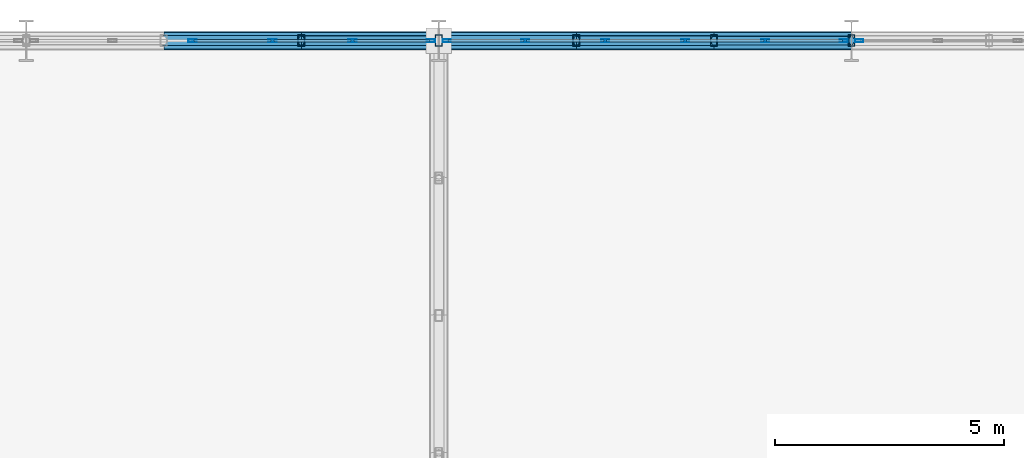
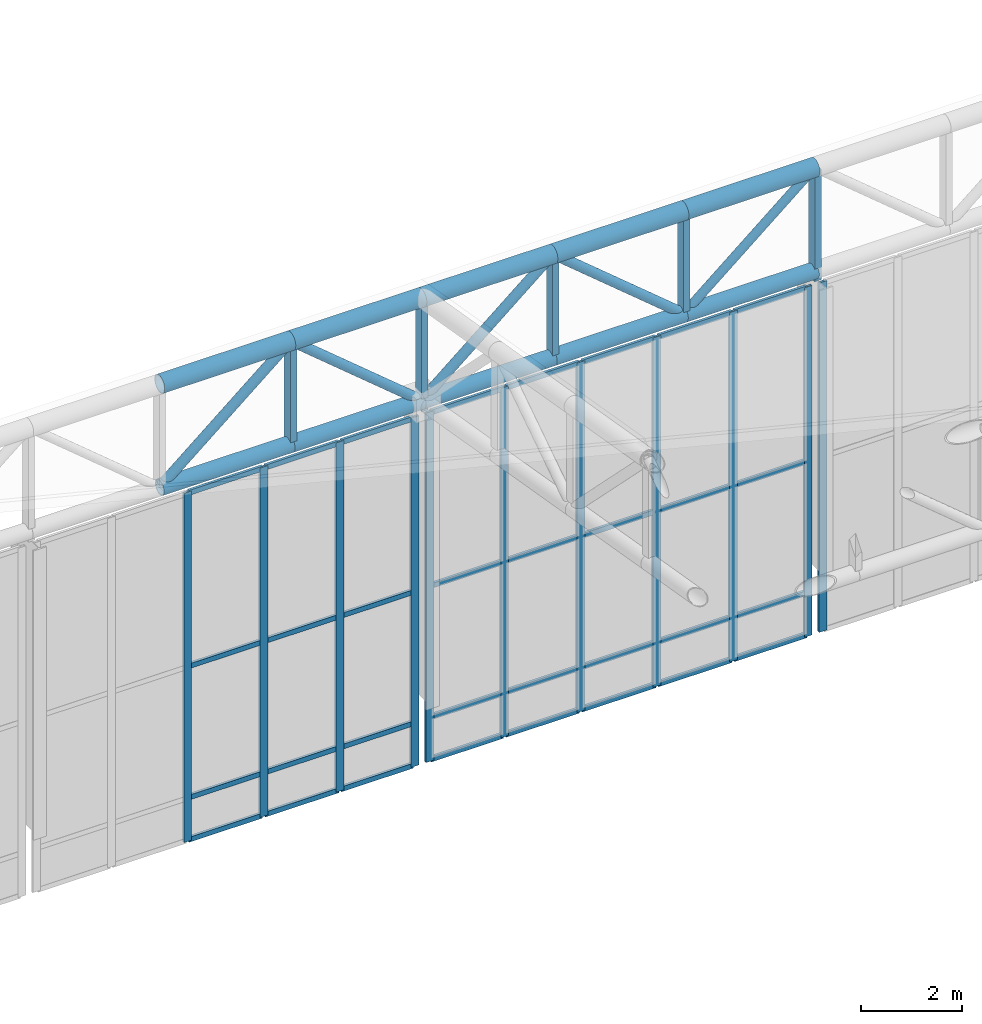
# One storey, part 111 of 239: 63 members, 3 elements without a shape of their own.
"""IFC4 building model written with IfcOpenShell, lengths in metres."""

import ifcopenshell
import ifcopenshell.guid

model = None  # the IFC model being written
_history = None  # IfcOwnerHistory: only IFC2X3 demands one
_inside = {}  # id of a spatial element -> (the spatial element, [elements in it])
_under = {}  # id of a project, library or spatial element -> (it, [spatial elements below it])
_declared = {}  # id of a project -> (the project, [libraries it declares])
_typed = {}  # id of a type object -> (the type object, [elements of that type])
_made_of = {}  # id of a material, layer set ... -> (it, [elements and type objects made of it])


def new_model(schema):
    """Start an empty IFC model of exactly this schema.

    Asked for "IFC4X3", IfcOpenShell would pick the latest addendum, in which some entities
    have other attributes; the version numbers below select the first issue.
    IFC2X3 requires an IfcOwnerHistory on every rooted entity: one is made here for all.
    """
    global model, _history
    if schema == "IFC4X3":
        model = ifcopenshell.file(schema_version=(4, 3, 0, 0))
    else:
        model = ifcopenshell.file(schema=schema)
    _inside.clear()
    _under.clear()
    _declared.clear()
    _typed.clear()
    _made_of.clear()
    _history = None
    if model.schema == "IFC2X3":
        org = make("IfcOrganization", Name="unknown")
        user = make(
            "IfcPersonAndOrganization",
            ThePerson=make("IfcPerson", FamilyName="unknown"),
            TheOrganization=org,
        )
        app = make(
            "IfcApplication",
            ApplicationDeveloper=org,
            Version="unknown",
            ApplicationFullName="unknown",
            ApplicationIdentifier="unknown",
        )
        _history = make(
            "IfcOwnerHistory",
            OwningUser=user,
            OwningApplication=app,
            ChangeAction="ADDED",
            CreationDate=0,
        )
    return model


def make(cls, **values):
    """One entity of the class cls with the attributes given. An attribute that is None is left unset."""
    return model.create_entity(
        cls, **{name: value for name, value in values.items() if value is not None}
    )


def rooted(cls, **values):
    """An entity with a GlobalId (a new one), such as an element, a storey or a relation."""
    return make(cls, GlobalId=ifcopenshell.guid.new(), OwnerHistory=_history, **values)


def si_unit(unit_type, name, prefix=None):
    """IfcSIUnit, for example si_unit("LENGTHUNIT", "METRE", prefix="MILLI")."""
    return make("IfcSIUnit", UnitType=unit_type, Prefix=prefix, Name=name)


def assignment(units):
    """IfcUnitAssignment: the units of a project."""
    return None if units is None else make("IfcUnitAssignment", Units=units)


def point(xyz):
    """IfcCartesianPoint."""
    return None if xyz is None else make("IfcCartesianPoint", Coordinates=xyz)


def direction(xyz):
    """IfcDirection."""
    return None if xyz is None else make("IfcDirection", DirectionRatios=xyz)


def frame(location, z_axis=None, x_axis=None):
    """IfcAxis2Placement3D, a coordinate frame: its origin and axes. An axis left out is left unset."""
    return make(
        "IfcAxis2Placement3D",
        Location=point(location),
        Axis=direction(z_axis),
        RefDirection=direction(x_axis),
    )


def frame_2d(location, x_axis=None):
    """IfcAxis2Placement2D, a coordinate frame in the plane: its origin and x axis."""
    return make(
        "IfcAxis2Placement2D", Location=point(location), RefDirection=direction(x_axis)
    )


def origin():
    """The frame at (0, 0, 0) with its axes left unset."""
    return frame((0.0, 0.0, 0.0))


def origin_2d():
    """The frame at (0, 0) in the plane with its x axis left unset."""
    return frame_2d((0.0, 0.0))


def place(relative_to, where):
    """IfcLocalPlacement: puts the frame where relative to a parent placement (None: the world)."""
    return make(
        "IfcLocalPlacement", PlacementRelTo=relative_to, RelativePlacement=where
    )


def context(
    kind, dimensions, precision=None, world=None, true_north=None, identifier=None
):
    """IfcGeometricRepresentationContext, for example the 3D "Model" context."""
    return make(
        "IfcGeometricRepresentationContext",
        ContextIdentifier=identifier,
        ContextType=kind,
        CoordinateSpaceDimension=dimensions,
        Precision=precision,
        WorldCoordinateSystem=world,
        TrueNorth=true_north,
    )


def subcontext(parent, identifier, kind, view, scale=None):
    """IfcGeometricRepresentationSubContext, for example "Body" below "Model"."""
    return make(
        "IfcGeometricRepresentationSubContext",
        ContextIdentifier=identifier,
        ContextType=kind,
        ParentContext=parent,
        TargetScale=scale,
        TargetView=view,
    )


def project(units=None, contexts=None):
    """IfcProject with its units and contexts."""
    return rooted(
        "IfcProject",
        Name="project",
        RepresentationContexts=contexts,
        UnitsInContext=assignment(units),
    )


def spatial(cls, under=None, at=None, **own):
    """A site, building, storey or space (cls), placed at a placement, below another one or the project."""
    s = rooted(cls, ObjectPlacement=at, **own)
    if under is not None:
        _under.setdefault(under.id(), (under, []))[1].append(s)
    return s


def profile(cls, at=None, kind="AREA", **sizes):
    """A parametric profile (cls). Its sizes go by their IFC names, for example OverallWidth=200.0."""
    return make(cls, ProfileType=kind, Position=at, **sizes)


def hollow_rectangle(**sizes):
    """IfcRectangleHollowProfileDef."""
    return profile("IfcRectangleHollowProfileDef", **sizes)


def hollow_circle(**sizes):
    """IfcCircleHollowProfileDef."""
    return profile("IfcCircleHollowProfileDef", **sizes)


def extrude(swept, where, along, depth):
    """IfcExtrudedAreaSolid: the profile swept, set in the frame where, extruded along a direction by depth."""
    return make(
        "IfcExtrudedAreaSolid",
        SweptArea=swept,
        Position=where,
        ExtrudedDirection=direction(along),
        Depth=depth,
    )


def shape(context_of_items, identifier, shape_type, items):
    """IfcShapeRepresentation: the items that make up one representation, for example the "Body"."""
    return make(
        "IfcShapeRepresentation",
        ContextOfItems=context_of_items,
        RepresentationIdentifier=identifier,
        RepresentationType=shape_type,
        Items=items,
    )


def material(Name=None, Category=None):
    """IfcMaterial."""
    return make("IfcMaterial", Name=Name, Category=Category)


def material_profile(
    of_material, cross_section, Name=None, Category=None, Priority=None
):
    """IfcMaterialProfile: a cross section and its material."""
    return make(
        "IfcMaterialProfile",
        Name=Name,
        Material=of_material,
        Profile=cross_section,
        Priority=Priority,
        Category=Category,
    )


def profile_set(profiles, Name=None, composite=None):
    """IfcMaterialProfileSet."""
    return make(
        "IfcMaterialProfileSet",
        Name=Name,
        MaterialProfiles=profiles,
        CompositeProfile=composite,
    )


def made_of(thing, what):
    """Note that an element or type object is made of a material, layer set ...; save() writes the relation."""
    if what is not None:
        _made_of.setdefault(what.id(), (what, []))[1].append(thing)
    return thing


def type_object(cls, material=None, **own):
    """A type object (cls), such as IfcWallType, which elements share."""
    return made_of(rooted(cls, **own), material)


def element(
    cls,
    number,
    at=None,
    inside=None,
    cuts=None,
    type_object=None,
    material=None,
    context=None,
    identifier="Body",
    shape_type=None,
    held_by="IfcProductDefinitionShape",
    body=None,
    shapes=None,
    **own,
):
    """One element of the class cls, such as IfcWall. Its Tag is "e" and its number.

    at: its placement. inside: the storey or other place that contains it. cuts: it is an
    opening in that element (IfcRelVoidsElement). A single representation is given by context,
    identifier, shape_type and body (its items); several are given by shapes. held_by: the class
    of the entity that holds the representations. save() writes the other relations.
    """
    e = rooted(cls, Tag="e%d" % number, ObjectPlacement=at, **own)
    if body is not None:
        shapes = [shape(context, identifier, shape_type, body)]
    if shapes is not None:
        e.Representation = make(held_by, Representations=shapes)
    if inside is not None:
        _inside.setdefault(inside.id(), (inside, []))[1].append(e)
    if cuts is not None:
        rooted(
            "IfcRelVoidsElement", RelatingBuildingElement=cuts, RelatedOpeningElement=e
        )
    if type_object is not None:
        _typed.setdefault(type_object.id(), (type_object, []))[1].append(e)
    return made_of(e, material)


def aggregate(whole, parts):
    """IfcRelAggregates: a whole, such as a stair, and the parts it consists of."""
    return rooted("IfcRelAggregates", RelatingObject=whole, RelatedObjects=parts)


def save(model, path):
    """Write the relations noted so far, then the file.

    IfcRelAggregates (storeys below a building ...), IfcRelContainedInSpatialStructure (elements
    in a storey), IfcRelDefinesByType, IfcRelAssociatesMaterial and IfcRelDeclares: one each for
    every whole, place, type object, material and project.
    """
    for whole, parts in _under.values():
        aggregate(whole, parts)
    for where, things in _inside.values():
        rooted(
            "IfcRelContainedInSpatialStructure",
            RelatedElements=things,
            RelatingStructure=where,
        )
    for kind, things in _typed.values():
        rooted("IfcRelDefinesByType", RelatedObjects=things, RelatingType=kind)
    for what, things in _made_of.values():
        rooted("IfcRelAssociatesMaterial", RelatedObjects=things, RelatingMaterial=what)
    for by, libraries in _declared.values():
        rooted("IfcRelDeclares", RelatingContext=by, RelatedDefinitions=libraries)
    model.write(path)


model = new_model("IFC4")

# Units and contexts
model_context = context("Model", 3, precision=1e-05, world=origin(), true_north=direction((0.0, 1.0)))
body_context = subcontext(model_context, "Body", "Model", "MODEL_VIEW")
ifc_project = project(units=[si_unit("LENGTHUNIT", "METRE"), si_unit("AREAUNIT", "SQUARE_METRE"), si_unit("VOLUMEUNIT", "CUBIC_METRE"), si_unit("PLANEANGLEUNIT", "RADIAN"), si_unit("MASSUNIT", "GRAM", prefix="KILO")], contexts=[model_context])

# Site, building, storey
site_placement = place(None, origin())
site = spatial("IfcSite", under=ifc_project, at=site_placement, CompositionType="ELEMENT")
building_placement = place(site_placement, origin())
building = spatial("IfcBuilding", under=site, at=building_placement, Name="Kaldris Quays Convention Centre", CompositionType="ELEMENT")
storey_placement = place(building_placement, frame((0.0, 0.0, 11.39990234375)))
storey = spatial("IfcBuildingStorey", under=building, at=storey_placement, Name="L02", CompositionType="ELEMENT", Elevation=11.39990234375)

# Curtain wall, members
ifc_material_1 = material(Name="Anodized aluminium AW-6060 and triple glazing", Category="aluminium")
curtain_wall_type = type_object("IfcCurtainWallType", Name="UNITISED CURTAIN WALL CW03", PredefinedType="NOTDEFINED", material=ifc_material_1)
curtain_wall_1_placement = place(storey_placement, origin())
curtain_wall_1 = element("IfcCurtainWall", 1, at=curtain_wall_1_placement, inside=storey, type_object=curtain_wall_type, Name="L02 Unitised Curtain Wall CW03 238", PredefinedType="NOTDEFINED")
ifc_material_2 = material(Name="Anodized aluminium AW-6060", Category="aluminium")
ifc_material_profile_1 = material_profile(ifc_material_2, hollow_rectangle(XDim=0.06005859375, YDim=0.179931640625, WallThickness=0.0048828125, at=origin_2d()), Name="RHS 180x60x5")
ifc_profile_set_1 = profile_set([ifc_material_profile_1], Name="Anodized aluminium AW-6060")
member_type_1 = type_object("IfcMemberType", Name="CURTAIN MULLION CWM2", PredefinedType="MULLION", material=ifc_profile_set_1)
member_1_placement = place(storey_placement, frame((68.6279296875, 140.0, -1.60498046875), z_axis=(0.0, 0.0, 1.0), x_axis=(0.0, 1.0, 0.0)))
member_1 = element("IfcMember", 2, at=member_1_placement, type_object=member_type_1, Name="CW03 mullion 3", PredefinedType="MULLION", context=body_context, shape_type="SweptSolid", body=[
    extrude(hollow_rectangle(XDim=0.06005859375, YDim=0.179931640625, WallThickness=0.0048828125, at=origin_2d()), origin(), (0.0, 0.0, 1.0), 8.455078125),
])
member_2_placement = place(storey_placement, frame((70.3720703125, 140.0, -1.60498046875), z_axis=(0.0, 0.0, 1.0), x_axis=(0.0, 1.0, 0.0)))
member_2 = element("IfcMember", 3, at=member_2_placement, type_object=member_type_1, Name="CW03 mullion 4", PredefinedType="MULLION", context=body_context, shape_type="SweptSolid", body=[
    extrude(hollow_rectangle(XDim=0.06005859375, YDim=0.179931640625, WallThickness=0.0048828125, at=origin_2d()), origin(), (0.0, 0.0, 1.0), 8.455078125),
])
member_3_placement = place(storey_placement, frame((72.115966796875, 140.0, -1.60498046875), z_axis=(0.0, 0.0, 1.0), x_axis=(0.0, 1.0, 0.0)))
member_3 = element("IfcMember", 4, at=member_3_placement, type_object=member_type_1, Name="CW03 mullion 5", PredefinedType="MULLION", context=body_context, shape_type="SweptSolid", body=[
    extrude(hollow_rectangle(XDim=0.06005859375, YDim=0.179931640625, WallThickness=0.0048828125, at=origin_2d()), origin(), (0.0, 0.0, 1.0), 8.455078125),
])
member_4_placement = place(storey_placement, frame((73.830078125, 140.0, -1.60498046875), z_axis=(0.0, 0.0, 1.0), x_axis=(0.0, 1.0, 0.0)))
member_4 = element("IfcMember", 5, at=member_4_placement, type_object=member_type_1, Name="CW03 mullion 6", PredefinedType="MULLION", context=body_context, shape_type="SweptSolid", body=[
    extrude(hollow_rectangle(XDim=0.06005859375, YDim=0.179931640625, WallThickness=0.0048828125, at=origin_2d()), origin(), (0.0, 0.0, 1.0), 8.455078125),
])

curtain_wall_2_placement = place(storey_placement, origin())
curtain_wall_2 = element("IfcCurtainWall", 6, at=curtain_wall_2_placement, inside=storey, type_object=curtain_wall_type, Name="L02 Unitised Curtain Wall CW03 240", PredefinedType="NOTDEFINED")
member_5_placement = place(storey_placement, frame((74.169921875, 140.0, -1.60498046875), z_axis=(0.0, 0.0, 1.0), x_axis=(0.0, 1.0, 0.0)))
member_5 = element("IfcMember", 7, at=member_5_placement, type_object=member_type_1, Name="CW03 mullion 1", PredefinedType="MULLION", context=body_context, shape_type="SweptSolid", body=[
    extrude(hollow_rectangle(XDim=0.06005859375, YDim=0.179931640625, WallThickness=0.0048828125, at=origin_2d()), origin(), (0.0, 0.0, 1.0), 8.455078125),
])
member_6_placement = place(storey_placement, frame((75.884033203125, 140.0, -1.60498046875), z_axis=(0.0, 0.0, 1.0), x_axis=(0.0, 1.0, 0.0)))
member_6 = element("IfcMember", 8, at=member_6_placement, type_object=member_type_1, Name="CW03 mullion 2", PredefinedType="MULLION", context=body_context, shape_type="SweptSolid", body=[
    extrude(hollow_rectangle(XDim=0.06005859375, YDim=0.179931640625, WallThickness=0.0048828125, at=origin_2d()), origin(), (0.0, 0.0, 1.0), 8.455078125),
])
member_7_placement = place(storey_placement, frame((77.6279296875, 140.0, -1.60498046875), z_axis=(0.0, 0.0, 1.0), x_axis=(0.0, 1.0, 0.0)))
member_7 = element("IfcMember", 9, at=member_7_placement, type_object=member_type_1, Name="CW03 mullion 3", PredefinedType="MULLION", context=body_context, shape_type="SweptSolid", body=[
    extrude(hollow_rectangle(XDim=0.06005859375, YDim=0.179931640625, WallThickness=0.0048828125, at=origin_2d()), origin(), (0.0, 0.0, 1.0), 8.455078125),
])
member_8_placement = place(storey_placement, frame((79.3720703125, 140.0, -1.60498046875), z_axis=(0.0, 0.0, 1.0), x_axis=(0.0, 1.0, 0.0)))
member_8 = element("IfcMember", 10, at=member_8_placement, type_object=member_type_1, Name="CW03 mullion 4", PredefinedType="MULLION", context=body_context, shape_type="SweptSolid", body=[
    extrude(hollow_rectangle(XDim=0.06005859375, YDim=0.179931640625, WallThickness=0.0048828125, at=origin_2d()), origin(), (0.0, 0.0, 1.0), 8.455078125),
])
member_9_placement = place(storey_placement, frame((81.115966796875, 140.0, -1.60498046875), z_axis=(0.0, 0.0, 1.0), x_axis=(0.0, 1.0, 0.0)))
member_9 = element("IfcMember", 11, at=member_9_placement, type_object=member_type_1, Name="CW03 mullion 5", PredefinedType="MULLION", context=body_context, shape_type="SweptSolid", body=[
    extrude(hollow_rectangle(XDim=0.06005859375, YDim=0.179931640625, WallThickness=0.0048828125, at=origin_2d()), origin(), (0.0, 0.0, 1.0), 8.455078125),
])
member_10_placement = place(storey_placement, frame((82.830078125, 140.0, -1.60498046875), z_axis=(0.0, 0.0, 1.0), x_axis=(0.0, 1.0, 0.0)))
member_10 = element("IfcMember", 12, at=member_10_placement, type_object=member_type_1, Name="CW03 mullion 6", PredefinedType="MULLION", context=body_context, shape_type="SweptSolid", body=[
    extrude(hollow_rectangle(XDim=0.06005859375, YDim=0.179931640625, WallThickness=0.0048828125, at=origin_2d()), origin(), (0.0, 0.0, 1.0), 8.455078125),
])

# Curtain wall, member
curtain_wall_3_placement = place(storey_placement, origin())
curtain_wall_3 = element("IfcCurtainWall", 13, at=curtain_wall_3_placement, inside=storey, type_object=curtain_wall_type, Name="L02 Unitised Curtain Wall CW03 242", PredefinedType="NOTDEFINED")
member_11_placement = place(storey_placement, frame((83.169921875, 140.0, -1.60498046875), z_axis=(0.0, 0.0, 1.0), x_axis=(0.0, 1.0, 0.0)))
member_11 = element("IfcMember", 14, at=member_11_placement, type_object=member_type_1, Name="CW03 mullion 1", PredefinedType="MULLION", context=body_context, shape_type="SweptSolid", body=[
    extrude(hollow_rectangle(XDim=0.06005859375, YDim=0.179931640625, WallThickness=0.0048828125, at=origin_2d()), origin(), (0.0, 0.0, 1.0), 8.455078125),
])
aggregate(curtain_wall_3, [member_11])

# Member
ifc_material_profile_2 = material_profile(ifc_material_2, hollow_rectangle(XDim=0.06005859375, YDim=0.1201171875, WallThickness=0.00390625, at=origin_2d()), Name="RHS 120x60x4")
ifc_profile_set_2 = profile_set([ifc_material_profile_2], Name="Anodized aluminium AW-6060")
member_type_2 = type_object("IfcMemberType", Name="CURTAIN TRANSOM CWT1", PredefinedType="USERDEFINED", material=ifc_profile_set_2)
member_12_placement = place(storey_placement, frame((68.657958984375, 140.0, -1.574951171875), z_axis=(1.0, 0.0, 0.0), x_axis=(0.0, 1.0, 0.0)))
member_12 = element("IfcMember", 15, at=member_12_placement, type_object=member_type_2, Name="CW03 transom 3.1", ObjectType="TRANSOM", PredefinedType="USERDEFINED", context=body_context, shape_type="SweptSolid", body=[
    extrude(hollow_rectangle(XDim=0.06005859375, YDim=0.1201171875, WallThickness=0.00390625, at=origin_2d()), origin(), (0.0, 0.0, 1.0), 1.68408203125),
])

member_13_placement = place(storey_placement, frame((68.657958984375, 140.0, -0.554931640625), z_axis=(1.0, 0.0, 0.0), x_axis=(0.0, 1.0, 0.0)))
member_13 = element("IfcMember", 16, at=member_13_placement, type_object=member_type_2, Name="CW03 transom 3.2", ObjectType="TRANSOM", PredefinedType="USERDEFINED", context=body_context, shape_type="SweptSolid", body=[
    extrude(hollow_rectangle(XDim=0.06005859375, YDim=0.1201171875, WallThickness=0.00390625, at=origin_2d()), origin(), (0.0, 0.0, 1.0), 1.68408203125),
])

member_14_placement = place(storey_placement, frame((68.657958984375, 140.0, 2.623046875), z_axis=(1.0, 0.0, 0.0), x_axis=(0.0, 1.0, 0.0)))
member_14 = element("IfcMember", 17, at=member_14_placement, type_object=member_type_2, Name="CW03 transom 3.3", ObjectType="TRANSOM", PredefinedType="USERDEFINED", context=body_context, shape_type="SweptSolid", body=[
    extrude(hollow_rectangle(XDim=0.06005859375, YDim=0.1201171875, WallThickness=0.00390625, at=origin_2d()), origin(), (0.0, 0.0, 1.0), 1.68408203125),
])

member_15_placement = place(storey_placement, frame((68.657958984375, 140.0, 6.820068359375), z_axis=(1.0, 0.0, 0.0), x_axis=(0.0, 1.0, 0.0)))
member_15 = element("IfcMember", 18, at=member_15_placement, type_object=member_type_2, Name="CW03 transom 3.4", ObjectType="TRANSOM", PredefinedType="USERDEFINED", context=body_context, shape_type="SweptSolid", body=[
    extrude(hollow_rectangle(XDim=0.06005859375, YDim=0.1201171875, WallThickness=0.00390625, at=origin_2d()), origin(), (0.0, 0.0, 1.0), 1.68408203125),
])

member_16_placement = place(storey_placement, frame((70.402099609375, 140.0, -1.574951171875), z_axis=(1.0, 0.0, 0.0), x_axis=(0.0, 1.0, 0.0)))
member_16 = element("IfcMember", 19, at=member_16_placement, type_object=member_type_2, Name="CW03 transom 4.1", ObjectType="TRANSOM", PredefinedType="USERDEFINED", context=body_context, shape_type="SweptSolid", body=[
    extrude(hollow_rectangle(XDim=0.06005859375, YDim=0.1201171875, WallThickness=0.00390625, at=origin_2d()), origin(), (0.0, 0.0, 1.0), 1.683837890625),
])

member_17_placement = place(storey_placement, frame((70.402099609375, 140.0, -0.554931640625), z_axis=(1.0, 0.0, 0.0), x_axis=(0.0, 1.0, 0.0)))
member_17 = element("IfcMember", 20, at=member_17_placement, type_object=member_type_2, Name="CW03 transom 4.2", ObjectType="TRANSOM", PredefinedType="USERDEFINED", context=body_context, shape_type="SweptSolid", body=[
    extrude(hollow_rectangle(XDim=0.06005859375, YDim=0.1201171875, WallThickness=0.00390625, at=origin_2d()), origin(), (0.0, 0.0, 1.0), 1.683837890625),
])

member_18_placement = place(storey_placement, frame((70.402099609375, 140.0, 2.623046875), z_axis=(1.0, 0.0, 0.0), x_axis=(0.0, 1.0, 0.0)))
member_18 = element("IfcMember", 21, at=member_18_placement, type_object=member_type_2, Name="CW03 transom 4.3", ObjectType="TRANSOM", PredefinedType="USERDEFINED", context=body_context, shape_type="SweptSolid", body=[
    extrude(hollow_rectangle(XDim=0.06005859375, YDim=0.1201171875, WallThickness=0.00390625, at=origin_2d()), origin(), (0.0, 0.0, 1.0), 1.683837890625),
])

member_19_placement = place(storey_placement, frame((70.402099609375, 140.0, 6.820068359375), z_axis=(1.0, 0.0, 0.0), x_axis=(0.0, 1.0, 0.0)))
member_19 = element("IfcMember", 22, at=member_19_placement, type_object=member_type_2, Name="CW03 transom 4.4", ObjectType="TRANSOM", PredefinedType="USERDEFINED", context=body_context, shape_type="SweptSolid", body=[
    extrude(hollow_rectangle(XDim=0.06005859375, YDim=0.1201171875, WallThickness=0.00390625, at=origin_2d()), origin(), (0.0, 0.0, 1.0), 1.683837890625),
])

member_20_placement = place(storey_placement, frame((72.14599609375, 140.0, -1.574951171875), z_axis=(1.0, 0.0, 0.0), x_axis=(0.0, 1.0, 0.0)))
member_20 = element("IfcMember", 23, at=member_20_placement, type_object=member_type_2, Name="CW03 transom 5.1", ObjectType="TRANSOM", PredefinedType="USERDEFINED", context=body_context, shape_type="SweptSolid", body=[
    extrude(hollow_rectangle(XDim=0.06005859375, YDim=0.1201171875, WallThickness=0.00390625, at=origin_2d()), origin(), (0.0, 0.0, 1.0), 1.654052734375),
])

member_21_placement = place(storey_placement, frame((72.14599609375, 140.0, -0.554931640625), z_axis=(1.0, 0.0, 0.0), x_axis=(0.0, 1.0, 0.0)))
member_21 = element("IfcMember", 24, at=member_21_placement, type_object=member_type_2, Name="CW03 transom 5.2", ObjectType="TRANSOM", PredefinedType="USERDEFINED", context=body_context, shape_type="SweptSolid", body=[
    extrude(hollow_rectangle(XDim=0.06005859375, YDim=0.1201171875, WallThickness=0.00390625, at=origin_2d()), origin(), (0.0, 0.0, 1.0), 1.654052734375),
])

member_22_placement = place(storey_placement, frame((72.14599609375, 140.0, 2.623046875), z_axis=(1.0, 0.0, 0.0), x_axis=(0.0, 1.0, 0.0)))
member_22 = element("IfcMember", 25, at=member_22_placement, type_object=member_type_2, Name="CW03 transom 5.3", ObjectType="TRANSOM", PredefinedType="USERDEFINED", context=body_context, shape_type="SweptSolid", body=[
    extrude(hollow_rectangle(XDim=0.06005859375, YDim=0.1201171875, WallThickness=0.00390625, at=origin_2d()), origin(), (0.0, 0.0, 1.0), 1.654052734375),
])

member_23_placement = place(storey_placement, frame((72.14599609375, 140.0, 6.820068359375), z_axis=(1.0, 0.0, 0.0), x_axis=(0.0, 1.0, 0.0)))
member_23 = element("IfcMember", 26, at=member_23_placement, type_object=member_type_2, Name="CW03 transom 5.4", ObjectType="TRANSOM", PredefinedType="USERDEFINED", context=body_context, shape_type="SweptSolid", body=[
    extrude(hollow_rectangle(XDim=0.06005859375, YDim=0.1201171875, WallThickness=0.00390625, at=origin_2d()), origin(), (0.0, 0.0, 1.0), 1.654052734375),
])

aggregate(curtain_wall_1, [member_1, member_2, member_3, member_4, member_12, member_13, member_14, member_15, member_16, member_17, member_18, member_19, member_20, member_21, member_22, member_23])

member_24_placement = place(storey_placement, frame((74.199951171875, 140.0, -1.574951171875), z_axis=(1.0, 0.0, 0.0), x_axis=(0.0, 1.0, 0.0)))
member_24 = element("IfcMember", 27, at=member_24_placement, type_object=member_type_2, Name="CW03 transom 1.1", ObjectType="TRANSOM", PredefinedType="USERDEFINED", context=body_context, shape_type="SweptSolid", body=[
    extrude(hollow_rectangle(XDim=0.06005859375, YDim=0.1201171875, WallThickness=0.00390625, at=origin_2d()), origin(), (0.0, 0.0, 1.0), 1.654052734375),
])

member_25_placement = place(storey_placement, frame((74.199951171875, 140.0, -0.554931640625), z_axis=(1.0, 0.0, 0.0), x_axis=(0.0, 1.0, 0.0)))
member_25 = element("IfcMember", 28, at=member_25_placement, type_object=member_type_2, Name="CW03 transom 1.2", ObjectType="TRANSOM", PredefinedType="USERDEFINED", context=body_context, shape_type="SweptSolid", body=[
    extrude(hollow_rectangle(XDim=0.06005859375, YDim=0.1201171875, WallThickness=0.00390625, at=origin_2d()), origin(), (0.0, 0.0, 1.0), 1.654052734375),
])

member_26_placement = place(storey_placement, frame((74.199951171875, 140.0, 2.623046875), z_axis=(1.0, 0.0, 0.0), x_axis=(0.0, 1.0, 0.0)))
member_26 = element("IfcMember", 29, at=member_26_placement, type_object=member_type_2, Name="CW03 transom 1.3", ObjectType="TRANSOM", PredefinedType="USERDEFINED", context=body_context, shape_type="SweptSolid", body=[
    extrude(hollow_rectangle(XDim=0.06005859375, YDim=0.1201171875, WallThickness=0.00390625, at=origin_2d()), origin(), (0.0, 0.0, 1.0), 1.654052734375),
])

member_27_placement = place(storey_placement, frame((74.199951171875, 140.0, 6.820068359375), z_axis=(1.0, 0.0, 0.0), x_axis=(0.0, 1.0, 0.0)))
member_27 = element("IfcMember", 30, at=member_27_placement, type_object=member_type_2, Name="CW03 transom 1.4", ObjectType="TRANSOM", PredefinedType="USERDEFINED", context=body_context, shape_type="SweptSolid", body=[
    extrude(hollow_rectangle(XDim=0.06005859375, YDim=0.1201171875, WallThickness=0.00390625, at=origin_2d()), origin(), (0.0, 0.0, 1.0), 1.654052734375),
])

member_28_placement = place(storey_placement, frame((75.9140625, 140.0, -1.574951171875), z_axis=(1.0, 0.0, 0.0), x_axis=(0.0, 1.0, 0.0)))
member_28 = element("IfcMember", 31, at=member_28_placement, type_object=member_type_2, Name="CW03 transom 2.1", ObjectType="TRANSOM", PredefinedType="USERDEFINED", context=body_context, shape_type="SweptSolid", body=[
    extrude(hollow_rectangle(XDim=0.06005859375, YDim=0.1201171875, WallThickness=0.00390625, at=origin_2d()), origin(), (0.0, 0.0, 1.0), 1.683837890625),
])

member_29_placement = place(storey_placement, frame((75.9140625, 140.0, -0.554931640625), z_axis=(1.0, 0.0, 0.0), x_axis=(0.0, 1.0, 0.0)))
member_29 = element("IfcMember", 32, at=member_29_placement, type_object=member_type_2, Name="CW03 transom 2.2", ObjectType="TRANSOM", PredefinedType="USERDEFINED", context=body_context, shape_type="SweptSolid", body=[
    extrude(hollow_rectangle(XDim=0.06005859375, YDim=0.1201171875, WallThickness=0.00390625, at=origin_2d()), origin(), (0.0, 0.0, 1.0), 1.683837890625),
])

member_30_placement = place(storey_placement, frame((75.9140625, 140.0, 2.623046875), z_axis=(1.0, 0.0, 0.0), x_axis=(0.0, 1.0, 0.0)))
member_30 = element("IfcMember", 33, at=member_30_placement, type_object=member_type_2, Name="CW03 transom 2.3", ObjectType="TRANSOM", PredefinedType="USERDEFINED", context=body_context, shape_type="SweptSolid", body=[
    extrude(hollow_rectangle(XDim=0.06005859375, YDim=0.1201171875, WallThickness=0.00390625, at=origin_2d()), origin(), (0.0, 0.0, 1.0), 1.683837890625),
])

member_31_placement = place(storey_placement, frame((75.9140625, 140.0, 6.820068359375), z_axis=(1.0, 0.0, 0.0), x_axis=(0.0, 1.0, 0.0)))
member_31 = element("IfcMember", 34, at=member_31_placement, type_object=member_type_2, Name="CW03 transom 2.4", ObjectType="TRANSOM", PredefinedType="USERDEFINED", context=body_context, shape_type="SweptSolid", body=[
    extrude(hollow_rectangle(XDim=0.06005859375, YDim=0.1201171875, WallThickness=0.00390625, at=origin_2d()), origin(), (0.0, 0.0, 1.0), 1.683837890625),
])

member_32_placement = place(storey_placement, frame((77.657958984375, 140.0, -1.574951171875), z_axis=(1.0, 0.0, 0.0), x_axis=(0.0, 1.0, 0.0)))
member_32 = element("IfcMember", 35, at=member_32_placement, type_object=member_type_2, Name="CW03 transom 3.1", ObjectType="TRANSOM", PredefinedType="USERDEFINED", context=body_context, shape_type="SweptSolid", body=[
    extrude(hollow_rectangle(XDim=0.06005859375, YDim=0.1201171875, WallThickness=0.00390625, at=origin_2d()), origin(), (0.0, 0.0, 1.0), 1.68408203125),
])

member_33_placement = place(storey_placement, frame((77.657958984375, 140.0, -0.554931640625), z_axis=(1.0, 0.0, 0.0), x_axis=(0.0, 1.0, 0.0)))
member_33 = element("IfcMember", 36, at=member_33_placement, type_object=member_type_2, Name="CW03 transom 3.2", ObjectType="TRANSOM", PredefinedType="USERDEFINED", context=body_context, shape_type="SweptSolid", body=[
    extrude(hollow_rectangle(XDim=0.06005859375, YDim=0.1201171875, WallThickness=0.00390625, at=origin_2d()), origin(), (0.0, 0.0, 1.0), 1.68408203125),
])

member_34_placement = place(storey_placement, frame((77.657958984375, 140.0, 2.623046875), z_axis=(1.0, 0.0, 0.0), x_axis=(0.0, 1.0, 0.0)))
member_34 = element("IfcMember", 37, at=member_34_placement, type_object=member_type_2, Name="CW03 transom 3.3", ObjectType="TRANSOM", PredefinedType="USERDEFINED", context=body_context, shape_type="SweptSolid", body=[
    extrude(hollow_rectangle(XDim=0.06005859375, YDim=0.1201171875, WallThickness=0.00390625, at=origin_2d()), origin(), (0.0, 0.0, 1.0), 1.68408203125),
])

member_35_placement = place(storey_placement, frame((77.657958984375, 140.0, 6.820068359375), z_axis=(1.0, 0.0, 0.0), x_axis=(0.0, 1.0, 0.0)))
member_35 = element("IfcMember", 38, at=member_35_placement, type_object=member_type_2, Name="CW03 transom 3.4", ObjectType="TRANSOM", PredefinedType="USERDEFINED", context=body_context, shape_type="SweptSolid", body=[
    extrude(hollow_rectangle(XDim=0.06005859375, YDim=0.1201171875, WallThickness=0.00390625, at=origin_2d()), origin(), (0.0, 0.0, 1.0), 1.68408203125),
])

member_36_placement = place(storey_placement, frame((79.402099609375, 140.0, -1.574951171875), z_axis=(1.0, 0.0, 0.0), x_axis=(0.0, 1.0, 0.0)))
member_36 = element("IfcMember", 39, at=member_36_placement, type_object=member_type_2, Name="CW03 transom 4.1", ObjectType="TRANSOM", PredefinedType="USERDEFINED", context=body_context, shape_type="SweptSolid", body=[
    extrude(hollow_rectangle(XDim=0.06005859375, YDim=0.1201171875, WallThickness=0.00390625, at=origin_2d()), origin(), (0.0, 0.0, 1.0), 1.683837890625),
])

member_37_placement = place(storey_placement, frame((79.402099609375, 140.0, -0.554931640625), z_axis=(1.0, 0.0, 0.0), x_axis=(0.0, 1.0, 0.0)))
member_37 = element("IfcMember", 40, at=member_37_placement, type_object=member_type_2, Name="CW03 transom 4.2", ObjectType="TRANSOM", PredefinedType="USERDEFINED", context=body_context, shape_type="SweptSolid", body=[
    extrude(hollow_rectangle(XDim=0.06005859375, YDim=0.1201171875, WallThickness=0.00390625, at=origin_2d()), origin(), (0.0, 0.0, 1.0), 1.683837890625),
])

member_38_placement = place(storey_placement, frame((79.402099609375, 140.0, 2.623046875), z_axis=(1.0, 0.0, 0.0), x_axis=(0.0, 1.0, 0.0)))
member_38 = element("IfcMember", 41, at=member_38_placement, type_object=member_type_2, Name="CW03 transom 4.3", ObjectType="TRANSOM", PredefinedType="USERDEFINED", context=body_context, shape_type="SweptSolid", body=[
    extrude(hollow_rectangle(XDim=0.06005859375, YDim=0.1201171875, WallThickness=0.00390625, at=origin_2d()), origin(), (0.0, 0.0, 1.0), 1.683837890625),
])

member_39_placement = place(storey_placement, frame((79.402099609375, 140.0, 6.820068359375), z_axis=(1.0, 0.0, 0.0), x_axis=(0.0, 1.0, 0.0)))
member_39 = element("IfcMember", 42, at=member_39_placement, type_object=member_type_2, Name="CW03 transom 4.4", ObjectType="TRANSOM", PredefinedType="USERDEFINED", context=body_context, shape_type="SweptSolid", body=[
    extrude(hollow_rectangle(XDim=0.06005859375, YDim=0.1201171875, WallThickness=0.00390625, at=origin_2d()), origin(), (0.0, 0.0, 1.0), 1.683837890625),
])

member_40_placement = place(storey_placement, frame((81.14599609375, 140.0, -1.574951171875), z_axis=(1.0, 0.0, 0.0), x_axis=(0.0, 1.0, 0.0)))
member_40 = element("IfcMember", 43, at=member_40_placement, type_object=member_type_2, Name="CW03 transom 5.1", ObjectType="TRANSOM", PredefinedType="USERDEFINED", context=body_context, shape_type="SweptSolid", body=[
    extrude(hollow_rectangle(XDim=0.06005859375, YDim=0.1201171875, WallThickness=0.00390625, at=origin_2d()), origin(), (0.0, 0.0, 1.0), 1.654052734375),
])

member_41_placement = place(storey_placement, frame((81.14599609375, 140.0, -0.554931640625), z_axis=(1.0, 0.0, 0.0), x_axis=(0.0, 1.0, 0.0)))
member_41 = element("IfcMember", 44, at=member_41_placement, type_object=member_type_2, Name="CW03 transom 5.2", ObjectType="TRANSOM", PredefinedType="USERDEFINED", context=body_context, shape_type="SweptSolid", body=[
    extrude(hollow_rectangle(XDim=0.06005859375, YDim=0.1201171875, WallThickness=0.00390625, at=origin_2d()), origin(), (0.0, 0.0, 1.0), 1.654052734375),
])

member_42_placement = place(storey_placement, frame((81.14599609375, 140.0, 2.623046875), z_axis=(1.0, 0.0, 0.0), x_axis=(0.0, 1.0, 0.0)))
member_42 = element("IfcMember", 45, at=member_42_placement, type_object=member_type_2, Name="CW03 transom 5.3", ObjectType="TRANSOM", PredefinedType="USERDEFINED", context=body_context, shape_type="SweptSolid", body=[
    extrude(hollow_rectangle(XDim=0.06005859375, YDim=0.1201171875, WallThickness=0.00390625, at=origin_2d()), origin(), (0.0, 0.0, 1.0), 1.654052734375),
])

member_43_placement = place(storey_placement, frame((81.14599609375, 140.0, 6.820068359375), z_axis=(1.0, 0.0, 0.0), x_axis=(0.0, 1.0, 0.0)))
member_43 = element("IfcMember", 46, at=member_43_placement, type_object=member_type_2, Name="CW03 transom 5.4", ObjectType="TRANSOM", PredefinedType="USERDEFINED", context=body_context, shape_type="SweptSolid", body=[
    extrude(hollow_rectangle(XDim=0.06005859375, YDim=0.1201171875, WallThickness=0.00390625, at=origin_2d()), origin(), (0.0, 0.0, 1.0), 1.654052734375),
])

aggregate(curtain_wall_2, [member_5, member_6, member_7, member_8, member_9, member_10, member_24, member_25, member_26, member_27, member_28, member_29, member_30, member_31, member_32, member_33, member_34, member_35, member_36, member_37, member_38, member_39, member_40, member_41, member_42, member_43])

# Members
ifc_material_3 = material(Name="Steel S355J2H", Category="steel")
ifc_material_profile_3 = material_profile(ifc_material_3, hollow_circle(Radius=0.203125, WallThickness=0.01611328125, at=origin_2d()), Name="CHS 406.4x16")
ifc_profile_set_3 = profile_set([ifc_material_profile_3], Name="Steel S355J2H")
member_type_3 = type_object("IfcMemberType", Name="STRUCTURAL MEMBER SC01", PredefinedType="CHORD", material=ifc_profile_set_3)
for number, where, z_axis, x_axis, name in (
    (47, (68.0, 140.0, 9.671875), (1.0, 0.0, 0.0), (0.0, 1.0, 0.0), "SF-V1 Top Chord X 311"),
    (48, (71.0, 140.0, 9.671875), (1.0, 0.0, 0.0), (0.0, 1.0, 0.0), "SF-V1 Top Chord X 312"),
    (49, (74.0, 140.0, 9.671875), (1.0, 0.0, 0.0), (0.0, 1.0, 0.0), "SF-V1 Top Chord X 313"),
    (50, (77.0, 140.0, 9.671875), (1.0, 0.0, 0.0), (0.0, 1.0, 0.0), "SF-V1 Top Chord X 314"),
    (51, (80.0, 140.0, 9.671875), (1.0, 0.0, 0.0), (0.0, 1.0, 0.0), "SF-V1 Top Chord X 315"),
):
    element("IfcMember", number, at=place(storey_placement, frame(where, z_axis=z_axis, x_axis=x_axis)), inside=storey, type_object=member_type_3, Name=name, PredefinedType="CHORD", context=body_context, shape_type="SweptSolid", body=[
        extrude(hollow_circle(Radius=0.203125, WallThickness=0.01611328125, at=origin_2d()), origin(), (0.0, 0.0, 1.0), 3.0),
    ])
ifc_material_profile_4 = material_profile(ifc_material_3, hollow_circle(Radius=0.177734375, WallThickness=0.01611328125, at=origin_2d()), Name="CHS 355.6x16")
ifc_profile_set_4 = profile_set([ifc_material_profile_4], Name="Steel S355J2H")
member_type_4 = type_object("IfcMemberType", Name="STRUCTURAL MEMBER SC02", PredefinedType="CHORD", material=ifc_profile_set_4)
for number, where, z_axis, x_axis, name in (
    (52, (68.0, 140.0, 7.171875), (1.0, 0.0, 0.0), (0.0, 1.0, 0.0), "SF-V1 Bottom Chord X 311"),
    (53, (71.0, 140.0, 7.171875), (1.0, 0.0, 0.0), (0.0, 1.0, 0.0), "SF-V1 Bottom Chord X 312"),
    (54, (74.0, 140.0, 7.171875), (1.0, 0.0, 0.0), (0.0, 1.0, 0.0), "SF-V1 Bottom Chord X 313"),
    (55, (77.0, 140.0, 7.171875), (1.0, 0.0, 0.0), (0.0, 1.0, 0.0), "SF-V1 Bottom Chord X 314"),
    (56, (80.0, 140.0, 7.171875), (1.0, 0.0, 0.0), (0.0, 1.0, 0.0), "SF-V1 Bottom Chord X 315"),
):
    element("IfcMember", number, at=place(storey_placement, frame(where, z_axis=z_axis, x_axis=x_axis)), inside=storey, type_object=member_type_4, Name=name, PredefinedType="CHORD", context=body_context, shape_type="SweptSolid", body=[
        extrude(hollow_circle(Radius=0.177734375, WallThickness=0.01611328125, at=origin_2d()), origin(), (0.0, 0.0, 1.0), 3.0),
    ])
ifc_material_profile_5 = material_profile(ifc_material_3, hollow_circle(Radius=0.109619140625, WallThickness=0.010009765625, at=origin_2d()), Name="CHS 219.1x10")
ifc_profile_set_5 = profile_set([ifc_material_profile_5], Name="Steel S355J2H")
member_type_5 = type_object("IfcMemberType", Name="STRUCTURAL MEMBER SWB1", PredefinedType="BRACE", material=ifc_profile_set_5)
for number, where, z_axis, x_axis, name in (
    (57, (68.0, 140.0, 7.171875), (0.768221279597, 0.0, 0.640184399664), (0.0, 1.0, 0.0), "SF-V1 Web Diagonal X 311"),
    (58, (74.0, 140.0, 7.171875), (-0.768221279597, 0.0, 0.640184399664), (0.0, -1.0, 0.0), "SF-V1 Web Diagonal X 312"),
    (59, (74.0, 140.0, 7.171875), (0.768221279597, 0.0, 0.640184399664), (0.0, 1.0, 0.0), "SF-V1 Web Diagonal X 313"),
    (60, (80.0, 140.0, 7.171875), (-0.768221279597, 0.0, 0.640184399664), (0.0, -1.0, 0.0), "SF-V1 Web Diagonal X 314"),
):
    element("IfcMember", number, at=place(storey_placement, frame(where, z_axis=z_axis, x_axis=x_axis)), inside=storey, type_object=member_type_5, Name=name, PredefinedType="BRACE", context=body_context, shape_type="SweptSolid", body=[
        extrude(hollow_circle(Radius=0.109619140625, WallThickness=0.010009765625, at=origin_2d()), origin(), (0.0, 0.0, 1.0), 3.905029296875),
    ])
ifc_material_profile_6 = material_profile(ifc_material_3, hollow_circle(Radius=0.096923828125, WallThickness=0.008056640625, at=origin_2d()), Name="CHS 193.7x8")
ifc_profile_set_6 = profile_set([ifc_material_profile_6], Name="Steel S355J2H")
member_type_6 = type_object("IfcMemberType", Name="STRUCTURAL MEMBER SWB3", PredefinedType="BRACE", material=ifc_profile_set_6)
member_44_placement = place(storey_placement, frame((80.0, 140.0, 7.171875), z_axis=(0.768221279597, 0.0, 0.640184399664), x_axis=(0.0, 1.0, 0.0)))
element("IfcMember", 61, at=member_44_placement, inside=storey, type_object=member_type_6, Name="SF-V1 Web Diagonal X 315", PredefinedType="BRACE", context=body_context, shape_type="SweptSolid", body=[
    extrude(hollow_circle(Radius=0.096923828125, WallThickness=0.008056640625, at=origin_2d()), origin(), (0.0, 0.0, 1.0), 3.905029296875),
])
ifc_material_profile_7 = material_profile(ifc_material_3, hollow_rectangle(XDim=0.14990234375, YDim=0.25, WallThickness=0.010009765625, at=origin_2d()), Name="RHS 250x150x10")
ifc_profile_set_7 = profile_set([ifc_material_profile_7], Name="Steel S355J2H")
member_type_7 = type_object("IfcMemberType", Name="STRUCTURAL MEMBER TTV1", PredefinedType="POST", material=ifc_profile_set_7)
member_45_placement = place(storey_placement, frame((71.0, 140.0, 7.171875), z_axis=(0.0, 0.0, 1.0), x_axis=(1.0, 0.0, 0.0)))
element("IfcMember", 62, at=member_45_placement, inside=storey, type_object=member_type_7, Name="SF-V1 Space-Frame Post 207", PredefinedType="POST", context=body_context, shape_type="SweptSolid", body=[
    extrude(hollow_rectangle(XDim=0.14990234375, YDim=0.25, WallThickness=0.010009765625, at=origin_2d()), origin(), (0.0, 0.0, 1.0), 2.5),
])
member_46_placement = place(storey_placement, frame((74.0, 140.0, 6.994140625), z_axis=(0.0, 0.0, 1.0), x_axis=(1.0, 0.0, 0.0)))
element("IfcMember", 63, at=member_46_placement, inside=storey, type_object=member_type_7, Name="SF-V1 Space-Frame Post 236", PredefinedType="POST", context=body_context, shape_type="SweptSolid", body=[
    extrude(hollow_rectangle(XDim=0.14990234375, YDim=0.25, WallThickness=0.010009765625, at=origin_2d()), origin(), (0.0, 0.0, 1.0), 2.677734375),
])
for number, where, z_axis, x_axis, name in (
    (64, (77.0, 140.0, 7.171875), (0.0, 0.0, 1.0), (1.0, 0.0, 0.0), "SF-V1 Space-Frame Post 244"),
    (65, (80.0, 140.0, 7.171875), (0.0, 0.0, 1.0), (1.0, 0.0, 0.0), "SF-V1 Space-Frame Post 252"),
):
    element("IfcMember", number, at=place(storey_placement, frame(where, z_axis=z_axis, x_axis=x_axis)), inside=storey, type_object=member_type_7, Name=name, PredefinedType="POST", context=body_context, shape_type="SweptSolid", body=[
        extrude(hollow_rectangle(XDim=0.14990234375, YDim=0.25, WallThickness=0.010009765625, at=origin_2d()), origin(), (0.0, 0.0, 1.0), 2.5),
    ])
member_47_placement = place(storey_placement, frame((83.0, 140.0, 6.994140625), z_axis=(0.0, 0.0, 1.0), x_axis=(1.0, 0.0, 0.0)))
element("IfcMember", 66, at=member_47_placement, inside=storey, type_object=member_type_7, Name="SF-V1 Space-Frame Post 260", PredefinedType="POST", context=body_context, shape_type="SweptSolid", body=[
    extrude(hollow_rectangle(XDim=0.14990234375, YDim=0.25, WallThickness=0.010009765625, at=origin_2d()), origin(), (0.0, 0.0, 1.0), 2.677734375),
])

save(model, "model.ifc")
